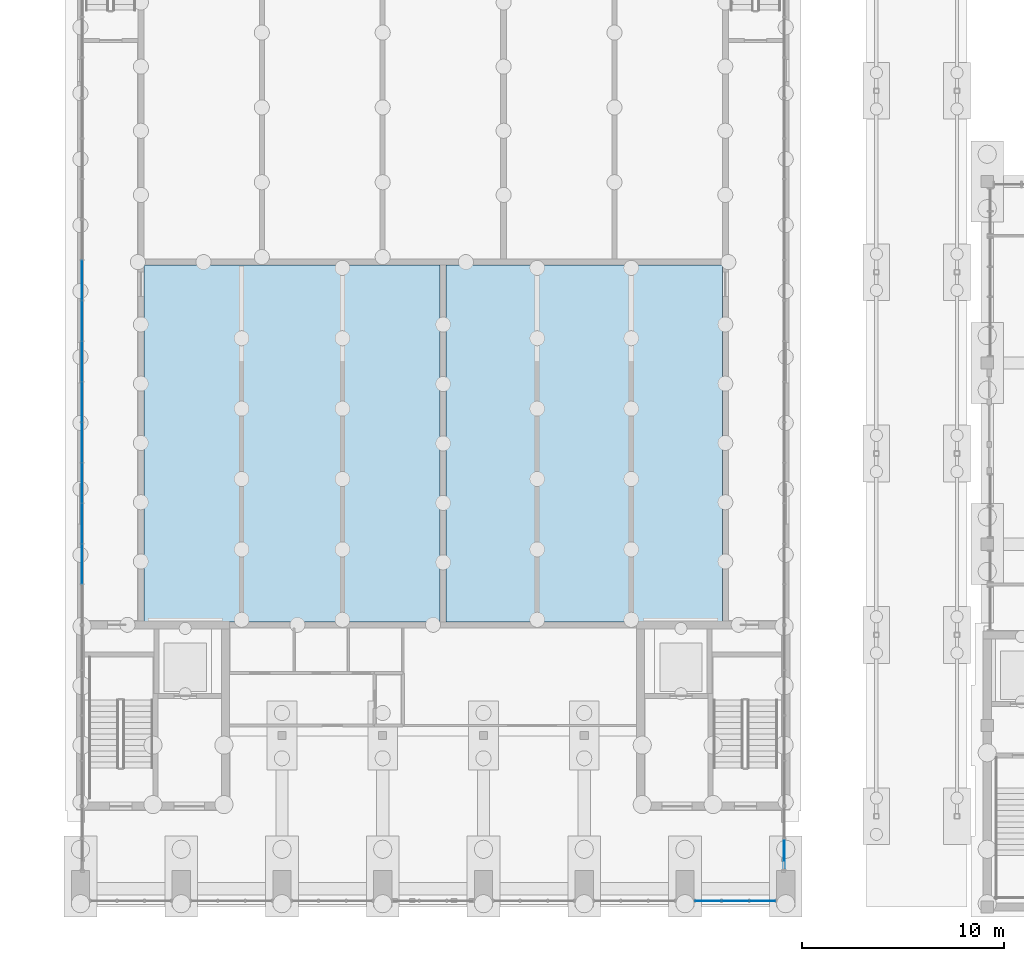
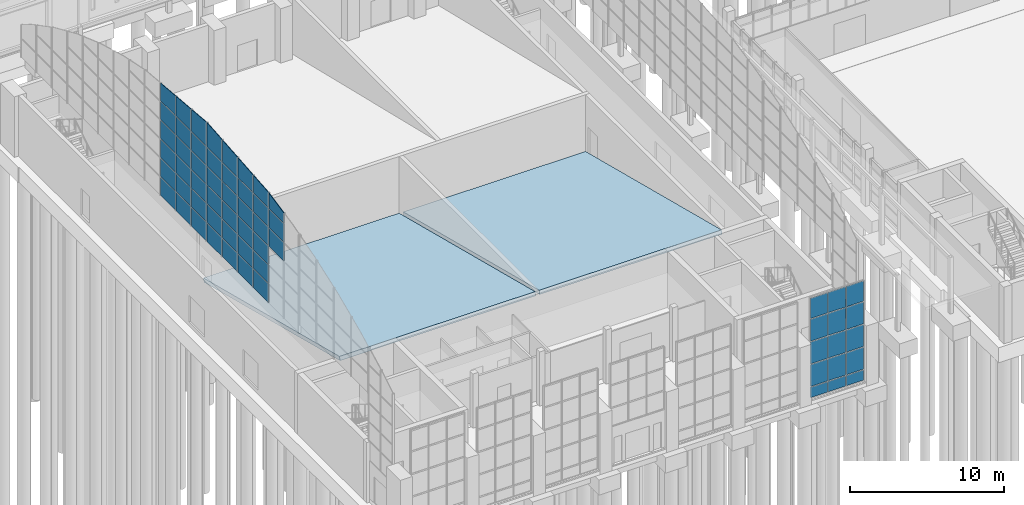
# One storey, part 52 of 106: 61 plates, 2 slabs, 3 elements without a shape of their own.
"""IFC4 building model written with IfcOpenShell, lengths in metres."""

from ifc_helpers import new_model, si_unit, direction, frame, origin, origin_2d, place, context, subcontext, project, spatial, polyline, rectangle, outline, extrude, material, layer, layer_set, type_object, element, aggregate, save


model = new_model("IFC4")

# Units and contexts
model_context = context("Model", 3, precision=1e-05, world=origin(), true_north=direction((0.0, 1.0)))
body_context = subcontext(model_context, "Body", "Model", "MODEL_VIEW")
ifc_project = project(units=[si_unit("LENGTHUNIT", "METRE"), si_unit("AREAUNIT", "SQUARE_METRE"), si_unit("VOLUMEUNIT", "CUBIC_METRE"), si_unit("PLANEANGLEUNIT", "RADIAN"), si_unit("MASSUNIT", "GRAM", prefix="KILO")], contexts=[model_context])

# Site, building, storey
site_placement = place(None, origin())
site = spatial("IfcSite", under=ifc_project, at=site_placement, CompositionType="ELEMENT")
building_placement = place(site_placement, origin())
building = spatial("IfcBuilding", under=site, at=building_placement, Name="Merrow Basin Faculty of Sciences", CompositionType="ELEMENT")
storey_placement = place(building_placement, origin())
storey = spatial("IfcBuildingStorey", under=building, at=storey_placement, Name="L00", CompositionType="ELEMENT", Elevation=0.0)

# Curtain wall, plates
ifc_material_1 = material(Name="Aluminium alloy 6063", Category="aluminium")
curtain_wall_type_1 = type_object("IfcCurtainWallType", Name="Unitised curtain wall 160", PredefinedType="NOTDEFINED", material=ifc_material_1)
curtain_wall_1_placement = place(storey_placement, origin())
curtain_wall_1 = element("IfcCurtainWall", 1, at=curtain_wall_1_placement, inside=storey, type_object=curtain_wall_type_1, Name="South foyer curtain wall", PredefinedType="NOTDEFINED")
ifc_material_2 = material(Name="Insulated aluminium spandrel panel", Category="aluminium")
ifc_layer_1 = layer(ifc_material_2, 0.052001953125)
ifc_layer_set_1 = layer_set([ifc_layer_1], Name="Insulated spandrel panel 52")
plate_type_1 = type_object("IfcPlateType", Name="Insulated spandrel panel 52", PredefinedType="CURTAIN_PANEL", material=ifc_layer_set_1)
plate_1_placement = place(storey_placement, frame((31.1484375, 0.300048828125, 0.06005859375), z_axis=(0.0, 0.0, 1.0), x_axis=(1.0, 0.0, 0.0)))
plate_1 = element("IfcPlate", 2, at=plate_1_placement, type_object=plate_type_1, Name="CW3 panel 1.1", PredefinedType="CURTAIN_PANEL", context=body_context, shape_type="SweptSolid", body=[
    extrude(rectangle(XDim=1.276611328125, YDim=0.052001953125, at=origin_2d()), origin(), (0.0, 0.0, 1.0), 0.81005859375),
])
plate_2_placement = place(storey_placement, frame((32.5, 0.300048828125, 0.06005859375), z_axis=(0.0, 0.0, 1.0), x_axis=(1.0, 0.0, 0.0)))
plate_2 = element("IfcPlate", 3, at=plate_2_placement, type_object=plate_type_1, Name="CW3 panel 2.1", PredefinedType="CURTAIN_PANEL", context=body_context, shape_type="SweptSolid", body=[
    extrude(rectangle(XDim=1.306640625, YDim=0.052001953125, at=origin_2d()), origin(), (0.0, 0.0, 1.0), 0.81005859375),
])
plate_3_placement = place(storey_placement, frame((33.8515625, 0.300048828125, 0.06005859375), z_axis=(0.0, 0.0, 1.0), x_axis=(1.0, 0.0, 0.0)))
plate_3 = element("IfcPlate", 4, at=plate_3_placement, type_object=plate_type_1, Name="CW3 panel 3.1", PredefinedType="CURTAIN_PANEL", context=body_context, shape_type="SweptSolid", body=[
    extrude(rectangle(XDim=1.276611328125, YDim=0.052001953125, at=origin_2d()), origin(), (0.0, 0.0, 1.0), 0.81005859375),
])

ifc_material_3 = material(Name="Aluminium alloy 6063", Category="aluminium")
curtain_wall_type_2 = type_object("IfcCurtainWallType", Name="Arched curtain wall 160", PredefinedType="NOTDEFINED", material=ifc_material_3)
curtain_wall_2_placement = place(storey_placement, origin())
curtain_wall_2 = element("IfcCurtainWall", 5, at=curtain_wall_2_placement, inside=storey, type_object=curtain_wall_type_2, Name="West gable glazing C", PredefinedType="NOTDEFINED")
ifc_material_4 = material(Name="Laminated safety glass", Category="glass")
ifc_layer_2 = layer(ifc_material_4, 0.0400390625)
ifc_layer_set_2 = layer_set([ifc_layer_2], Name="Laminated overhead glazing panel 40")
plate_type_2 = type_object("IfcPlateType", Name="Laminated overhead glazing panel 40", PredefinedType="CURTAIN_PANEL", material=ifc_layer_set_2)
plate_4_placement = place(storey_placement, frame((0.06005859375, 16.041015625, 12.030029296875), z_axis=(1.0, 0.0, 0.0), x_axis=(0.0, 1.0, 0.0)))
plate_4 = element("IfcPlate", 6, at=plate_4_placement, type_object=plate_type_2, Name="CW4 panel 2.4", PredefinedType="CURTAIN_PANEL", context=body_context, shape_type="SweptSolid", body=[
    extrude(outline(polyline([(0.0, 0.0), (1.949951171875, 0.0), (1.949951171875, 1.43994140625), (0.0, 1.43994140625), (0.0, 0.0)])), origin(), (0.0, 0.0, 1.0), 0.0400390625),
])
plate_5_placement = place(storey_placement, frame((0.06005859375, 16.041015625, 13.530029296875), z_axis=(1.0, 0.0, 0.0), x_axis=(0.0, 1.0, 0.0)))
plate_5 = element("IfcPlate", 7, at=plate_5_placement, type_object=plate_type_2, Name="CW4 panel 2.5", PredefinedType="CURTAIN_PANEL", context=body_context, shape_type="SweptSolid", body=[
    extrude(outline(polyline([(0.0, 0.0), (1.949951171875, 0.0), (1.949951171875, 1.43994140625), (0.0, 1.43994140625), (0.0, 0.0)])), origin(), (0.0, 0.0, 1.0), 0.0400390625),
])
plate_6_placement = place(storey_placement, frame((0.06005859375, 16.041015625, 15.030029296875), z_axis=(1.0, 0.0, 0.0), x_axis=(0.0, 1.0, 0.0)))
plate_6 = element("IfcPlate", 8, at=plate_6_placement, type_object=plate_type_2, Name="CW4 panel 2.top", PredefinedType="CURTAIN_PANEL", context=body_context, shape_type="SweptSolid", body=[
    extrude(outline(polyline([(0.0, 0.0), (1.950927734375, 0.0), (1.950927734375, 1.216064453125), (0.0, 0.80810546875), (0.0, 0.0)])), origin(), (0.0, 0.0, 1.0), 0.0400390625),
])
plate_7_placement = place(storey_placement, frame((0.06005859375, 18.052001953125, 7.5), z_axis=(1.0, 0.0, 0.0), x_axis=(0.0, 1.0, 0.0)))
plate_7 = element("IfcPlate", 9, at=plate_7_placement, type_object=plate_type_2, Name="CW4 panel 3.1", PredefinedType="CURTAIN_PANEL", context=body_context, shape_type="SweptSolid", body=[
    extrude(outline(polyline([(0.0, 0.0), (1.949951171875, 0.0), (1.949951171875, 1.469970703125), (0.0, 1.469970703125), (0.0, 0.0)])), origin(), (0.0, 0.0, 1.0), 0.0400390625),
])
plate_8_placement = place(storey_placement, frame((0.06005859375, 18.052001953125, 9.030029296875), z_axis=(1.0, 0.0, 0.0), x_axis=(0.0, 1.0, 0.0)))
plate_8 = element("IfcPlate", 10, at=plate_8_placement, type_object=plate_type_2, Name="CW4 panel 3.2", PredefinedType="CURTAIN_PANEL", context=body_context, shape_type="SweptSolid", body=[
    extrude(outline(polyline([(0.0, 0.0), (1.949951171875, 0.0), (1.949951171875, 1.43994140625), (0.0, 1.43994140625), (0.0, 0.0)])), origin(), (0.0, 0.0, 1.0), 0.0400390625),
])
plate_9_placement = place(storey_placement, frame((0.06005859375, 18.052001953125, 10.530029296875), z_axis=(1.0, 0.0, 0.0), x_axis=(0.0, 1.0, 0.0)))
plate_9 = element("IfcPlate", 11, at=plate_9_placement, type_object=plate_type_2, Name="CW4 panel 3.3", PredefinedType="CURTAIN_PANEL", context=body_context, shape_type="SweptSolid", body=[
    extrude(outline(polyline([(0.0, 0.0), (1.949951171875, 0.0), (1.949951171875, 1.43994140625), (0.0, 1.43994140625), (0.0, 0.0)])), origin(), (0.0, 0.0, 1.0), 0.0400390625),
])
plate_10_placement = place(storey_placement, frame((0.06005859375, 18.052001953125, 12.030029296875), z_axis=(1.0, 0.0, 0.0), x_axis=(0.0, 1.0, 0.0)))
plate_10 = element("IfcPlate", 12, at=plate_10_placement, type_object=plate_type_2, Name="CW4 panel 3.4", PredefinedType="CURTAIN_PANEL", context=body_context, shape_type="SweptSolid", body=[
    extrude(outline(polyline([(0.0, 0.0), (1.949951171875, 0.0), (1.949951171875, 1.43994140625), (0.0, 1.43994140625), (0.0, 0.0)])), origin(), (0.0, 0.0, 1.0), 0.0400390625),
])
plate_11_placement = place(storey_placement, frame((0.06005859375, 18.052001953125, 13.530029296875), z_axis=(1.0, 0.0, 0.0), x_axis=(0.0, 1.0, 0.0)))
plate_11 = element("IfcPlate", 13, at=plate_11_placement, type_object=plate_type_2, Name="CW4 panel 3.5", PredefinedType="CURTAIN_PANEL", context=body_context, shape_type="SweptSolid", body=[
    extrude(outline(polyline([(0.0, 0.0), (1.949951171875, 0.0), (1.949951171875, 1.43994140625), (0.0, 1.43994140625), (0.0, 0.0)])), origin(), (0.0, 0.0, 1.0), 0.0400390625),
])
plate_12_placement = place(storey_placement, frame((0.06005859375, 18.052001953125, 15.030029296875), z_axis=(1.0, 0.0, 0.0), x_axis=(0.0, 1.0, 0.0)))
plate_12 = element("IfcPlate", 14, at=plate_12_placement, type_object=plate_type_2, Name="CW4 panel 3.top", PredefinedType="CURTAIN_PANEL", context=body_context, shape_type="SweptSolid", body=[
    extrude(outline(polyline([(0.0, 0.0), (1.950927734375, 0.0), (1.950927734375, 1.39501953125), (0.0, 1.22509765625), (0.0, 0.0)])), origin(), (0.0, 0.0, 1.0), 0.0400390625),
])
plate_13_placement = place(storey_placement, frame((0.06005859375, 20.06298828125, 7.5), z_axis=(1.0, 0.0, 0.0), x_axis=(0.0, 1.0, 0.0)))
plate_13 = element("IfcPlate", 15, at=plate_13_placement, type_object=plate_type_2, Name="CW4 panel 4.1", PredefinedType="CURTAIN_PANEL", context=body_context, shape_type="SweptSolid", body=[
    extrude(outline(polyline([(0.0, 0.0), (1.949951171875, 0.0), (1.949951171875, 1.469970703125), (0.0, 1.469970703125), (0.0, 0.0)])), origin(), (0.0, 0.0, 1.0), 0.0400390625),
])
plate_14_placement = place(storey_placement, frame((0.06005859375, 20.06298828125, 9.030029296875), z_axis=(1.0, 0.0, 0.0), x_axis=(0.0, 1.0, 0.0)))
plate_14 = element("IfcPlate", 16, at=plate_14_placement, type_object=plate_type_2, Name="CW4 panel 4.2", PredefinedType="CURTAIN_PANEL", context=body_context, shape_type="SweptSolid", body=[
    extrude(outline(polyline([(0.0, 0.0), (1.949951171875, 0.0), (1.949951171875, 1.43994140625), (0.0, 1.43994140625), (0.0, 0.0)])), origin(), (0.0, 0.0, 1.0), 0.0400390625),
])
plate_15_placement = place(storey_placement, frame((0.06005859375, 20.06298828125, 10.530029296875), z_axis=(1.0, 0.0, 0.0), x_axis=(0.0, 1.0, 0.0)))
plate_15 = element("IfcPlate", 17, at=plate_15_placement, type_object=plate_type_2, Name="CW4 panel 4.3", PredefinedType="CURTAIN_PANEL", context=body_context, shape_type="SweptSolid", body=[
    extrude(outline(polyline([(0.0, 0.0), (1.949951171875, 0.0), (1.949951171875, 1.43994140625), (0.0, 1.43994140625), (0.0, 0.0)])), origin(), (0.0, 0.0, 1.0), 0.0400390625),
])
plate_16_placement = place(storey_placement, frame((0.06005859375, 20.06298828125, 12.030029296875), z_axis=(1.0, 0.0, 0.0), x_axis=(0.0, 1.0, 0.0)))
plate_16 = element("IfcPlate", 18, at=plate_16_placement, type_object=plate_type_2, Name="CW4 panel 4.4", PredefinedType="CURTAIN_PANEL", context=body_context, shape_type="SweptSolid", body=[
    extrude(outline(polyline([(0.0, 0.0), (1.949951171875, 0.0), (1.949951171875, 1.43994140625), (0.0, 1.43994140625), (0.0, 0.0)])), origin(), (0.0, 0.0, 1.0), 0.0400390625),
])
plate_17_placement = place(storey_placement, frame((0.06005859375, 20.06298828125, 13.530029296875), z_axis=(1.0, 0.0, 0.0), x_axis=(0.0, 1.0, 0.0)))
plate_17 = element("IfcPlate", 19, at=plate_17_placement, type_object=plate_type_2, Name="CW4 panel 4.5", PredefinedType="CURTAIN_PANEL", context=body_context, shape_type="SweptSolid", body=[
    extrude(outline(polyline([(0.0, 0.0), (1.949951171875, 0.0), (1.949951171875, 1.43994140625), (0.0, 1.43994140625), (0.0, 0.0)])), origin(), (0.0, 0.0, 1.0), 0.0400390625),
])
plate_18_placement = place(storey_placement, frame((0.06005859375, 20.06298828125, 15.030029296875), z_axis=(1.0, 0.0, 0.0), x_axis=(0.0, 1.0, 0.0)))
plate_18 = element("IfcPlate", 20, at=plate_18_placement, type_object=plate_type_2, Name="CW4 panel 4.top", PredefinedType="CURTAIN_PANEL", context=body_context, shape_type="SweptSolid", body=[
    extrude(outline(polyline([(0.0, 0.0), (1.950927734375, 0.0), (1.950927734375, 1.569091796875), (0.0, 1.39990234375), (0.0, 0.0)])), origin(), (0.0, 0.0, 1.0), 0.0400390625),
])
plate_19_placement = place(storey_placement, frame((0.06005859375, 22.073974609375, 7.5), z_axis=(1.0, 0.0, 0.0), x_axis=(0.0, 1.0, 0.0)))
plate_19 = element("IfcPlate", 21, at=plate_19_placement, type_object=plate_type_2, Name="CW4 panel 5.1", PredefinedType="CURTAIN_PANEL", context=body_context, shape_type="SweptSolid", body=[
    extrude(outline(polyline([(0.0, 0.0), (1.949951171875, 0.0), (1.949951171875, 1.469970703125), (0.0, 1.469970703125), (0.0, 0.0)])), origin(), (0.0, 0.0, 1.0), 0.0400390625),
])
plate_20_placement = place(storey_placement, frame((0.06005859375, 22.073974609375, 9.030029296875), z_axis=(1.0, 0.0, 0.0), x_axis=(0.0, 1.0, 0.0)))
plate_20 = element("IfcPlate", 22, at=plate_20_placement, type_object=plate_type_2, Name="CW4 panel 5.2", PredefinedType="CURTAIN_PANEL", context=body_context, shape_type="SweptSolid", body=[
    extrude(outline(polyline([(0.0, 0.0), (1.949951171875, 0.0), (1.949951171875, 1.43994140625), (0.0, 1.43994140625), (0.0, 0.0)])), origin(), (0.0, 0.0, 1.0), 0.0400390625),
])
plate_21_placement = place(storey_placement, frame((0.06005859375, 22.073974609375, 10.530029296875), z_axis=(1.0, 0.0, 0.0), x_axis=(0.0, 1.0, 0.0)))
plate_21 = element("IfcPlate", 23, at=plate_21_placement, type_object=plate_type_2, Name="CW4 panel 5.3", PredefinedType="CURTAIN_PANEL", context=body_context, shape_type="SweptSolid", body=[
    extrude(outline(polyline([(0.0, 0.0), (1.949951171875, 0.0), (1.949951171875, 1.43994140625), (0.0, 1.43994140625), (0.0, 0.0)])), origin(), (0.0, 0.0, 1.0), 0.0400390625),
])
plate_22_placement = place(storey_placement, frame((0.06005859375, 22.073974609375, 12.030029296875), z_axis=(1.0, 0.0, 0.0), x_axis=(0.0, 1.0, 0.0)))
plate_22 = element("IfcPlate", 24, at=plate_22_placement, type_object=plate_type_2, Name="CW4 panel 5.4", PredefinedType="CURTAIN_PANEL", context=body_context, shape_type="SweptSolid", body=[
    extrude(outline(polyline([(0.0, 0.0), (1.949951171875, 0.0), (1.949951171875, 1.43994140625), (0.0, 1.43994140625), (0.0, 0.0)])), origin(), (0.0, 0.0, 1.0), 0.0400390625),
])
plate_23_placement = place(storey_placement, frame((0.06005859375, 22.073974609375, 13.530029296875), z_axis=(1.0, 0.0, 0.0), x_axis=(0.0, 1.0, 0.0)))
plate_23 = element("IfcPlate", 25, at=plate_23_placement, type_object=plate_type_2, Name="CW4 panel 5.5", PredefinedType="CURTAIN_PANEL", context=body_context, shape_type="SweptSolid", body=[
    extrude(outline(polyline([(0.0, 0.0), (1.949951171875, 0.0), (1.949951171875, 1.43994140625), (0.0, 1.43994140625), (0.0, 0.0)])), origin(), (0.0, 0.0, 1.0), 0.0400390625),
])
plate_24_placement = place(storey_placement, frame((0.06005859375, 22.073974609375, 15.030029296875), z_axis=(1.0, 0.0, 0.0), x_axis=(0.0, 1.0, 0.0)))
plate_24 = element("IfcPlate", 26, at=plate_24_placement, type_object=plate_type_2, Name="CW4 panel 5.top", PredefinedType="CURTAIN_PANEL", context=body_context, shape_type="SweptSolid", body=[
    extrude(outline(polyline([(0.0, 0.0), (1.950927734375, 0.0), (1.950927734375, 1.743896484375), (0.0, 1.574951171875), (0.0, 0.0)])), origin(), (0.0, 0.0, 1.0), 0.0400390625),
])
plate_25_placement = place(storey_placement, frame((0.06005859375, 24.0859375, 7.5), z_axis=(1.0, 0.0, 0.0), x_axis=(0.0, 1.0, 0.0)))
plate_25 = element("IfcPlate", 27, at=plate_25_placement, type_object=plate_type_2, Name="CW4 panel 6.1", PredefinedType="CURTAIN_PANEL", context=body_context, shape_type="SweptSolid", body=[
    extrude(outline(polyline([(0.0, 0.0), (1.949951171875, 0.0), (1.949951171875, 1.469970703125), (0.0, 1.469970703125), (0.0, 0.0)])), origin(), (0.0, 0.0, 1.0), 0.0400390625),
])
plate_26_placement = place(storey_placement, frame((0.06005859375, 24.0859375, 9.030029296875), z_axis=(1.0, 0.0, 0.0), x_axis=(0.0, 1.0, 0.0)))
plate_26 = element("IfcPlate", 28, at=plate_26_placement, type_object=plate_type_2, Name="CW4 panel 6.2", PredefinedType="CURTAIN_PANEL", context=body_context, shape_type="SweptSolid", body=[
    extrude(outline(polyline([(0.0, 0.0), (1.949951171875, 0.0), (1.949951171875, 1.43994140625), (0.0, 1.43994140625), (0.0, 0.0)])), origin(), (0.0, 0.0, 1.0), 0.0400390625),
])
plate_27_placement = place(storey_placement, frame((0.06005859375, 24.0859375, 10.530029296875), z_axis=(1.0, 0.0, 0.0), x_axis=(0.0, 1.0, 0.0)))
plate_27 = element("IfcPlate", 29, at=plate_27_placement, type_object=plate_type_2, Name="CW4 panel 6.3", PredefinedType="CURTAIN_PANEL", context=body_context, shape_type="SweptSolid", body=[
    extrude(outline(polyline([(0.0, 0.0), (1.949951171875, 0.0), (1.949951171875, 1.43994140625), (0.0, 1.43994140625), (0.0, 0.0)])), origin(), (0.0, 0.0, 1.0), 0.0400390625),
])
plate_28_placement = place(storey_placement, frame((0.06005859375, 24.0859375, 12.030029296875), z_axis=(1.0, 0.0, 0.0), x_axis=(0.0, 1.0, 0.0)))
plate_28 = element("IfcPlate", 30, at=plate_28_placement, type_object=plate_type_2, Name="CW4 panel 6.4", PredefinedType="CURTAIN_PANEL", context=body_context, shape_type="SweptSolid", body=[
    extrude(outline(polyline([(0.0, 0.0), (1.949951171875, 0.0), (1.949951171875, 1.43994140625), (0.0, 1.43994140625), (0.0, 0.0)])), origin(), (0.0, 0.0, 1.0), 0.0400390625),
])
plate_29_placement = place(storey_placement, frame((0.06005859375, 24.0859375, 13.530029296875), z_axis=(1.0, 0.0, 0.0), x_axis=(0.0, 1.0, 0.0)))
plate_29 = element("IfcPlate", 31, at=plate_29_placement, type_object=plate_type_2, Name="CW4 panel 6.5", PredefinedType="CURTAIN_PANEL", context=body_context, shape_type="SweptSolid", body=[
    extrude(outline(polyline([(0.0, 0.0), (1.949951171875, 0.0), (1.949951171875, 1.43994140625), (0.0, 1.43994140625), (0.0, 0.0)])), origin(), (0.0, 0.0, 1.0), 0.0400390625),
])
plate_30_placement = place(storey_placement, frame((0.06005859375, 24.0859375, 15.030029296875), z_axis=(1.0, 0.0, 0.0), x_axis=(0.0, 1.0, 0.0)))
plate_30 = element("IfcPlate", 32, at=plate_30_placement, type_object=plate_type_2, Name="CW4 panel 6.top", PredefinedType="CURTAIN_PANEL", context=body_context, shape_type="SweptSolid", body=[
    extrude(outline(polyline([(0.0, 0.0), (1.950927734375, 0.0), (1.950927734375, 1.912109375), (1.9140625, 1.916015625), (0.0, 1.7490234375), (0.0, 0.0)])), origin(), (0.0, 0.0, 1.0), 0.0400390625),
])
plate_31_placement = place(storey_placement, frame((0.06005859375, 26.096923828125, 7.5), z_axis=(1.0, 0.0, 0.0), x_axis=(0.0, 1.0, 0.0)))
plate_31 = element("IfcPlate", 33, at=plate_31_placement, type_object=plate_type_2, Name="CW4 panel 7.1", PredefinedType="CURTAIN_PANEL", context=body_context, shape_type="SweptSolid", body=[
    extrude(outline(polyline([(0.0, 0.0), (1.949951171875, 0.0), (1.949951171875, 1.469970703125), (0.0, 1.469970703125), (0.0, 0.0)])), origin(), (0.0, 0.0, 1.0), 0.0400390625),
])
plate_32_placement = place(storey_placement, frame((0.06005859375, 26.096923828125, 9.030029296875), z_axis=(1.0, 0.0, 0.0), x_axis=(0.0, 1.0, 0.0)))
plate_32 = element("IfcPlate", 34, at=plate_32_placement, type_object=plate_type_2, Name="CW4 panel 7.2", PredefinedType="CURTAIN_PANEL", context=body_context, shape_type="SweptSolid", body=[
    extrude(outline(polyline([(0.0, 0.0), (1.949951171875, 0.0), (1.949951171875, 1.43994140625), (0.0, 1.43994140625), (0.0, 0.0)])), origin(), (0.0, 0.0, 1.0), 0.0400390625),
])
plate_33_placement = place(storey_placement, frame((0.06005859375, 26.096923828125, 10.530029296875), z_axis=(1.0, 0.0, 0.0), x_axis=(0.0, 1.0, 0.0)))
plate_33 = element("IfcPlate", 35, at=plate_33_placement, type_object=plate_type_2, Name="CW4 panel 7.3", PredefinedType="CURTAIN_PANEL", context=body_context, shape_type="SweptSolid", body=[
    extrude(outline(polyline([(0.0, 0.0), (1.949951171875, 0.0), (1.949951171875, 1.43994140625), (0.0, 1.43994140625), (0.0, 0.0)])), origin(), (0.0, 0.0, 1.0), 0.0400390625),
])
plate_34_placement = place(storey_placement, frame((0.06005859375, 26.096923828125, 12.030029296875), z_axis=(1.0, 0.0, 0.0), x_axis=(0.0, 1.0, 0.0)))
plate_34 = element("IfcPlate", 36, at=plate_34_placement, type_object=plate_type_2, Name="CW4 panel 7.4", PredefinedType="CURTAIN_PANEL", context=body_context, shape_type="SweptSolid", body=[
    extrude(outline(polyline([(0.0, 0.0), (1.949951171875, 0.0), (1.949951171875, 1.43994140625), (0.0, 1.43994140625), (0.0, 0.0)])), origin(), (0.0, 0.0, 1.0), 0.0400390625),
])
plate_35_placement = place(storey_placement, frame((0.06005859375, 26.096923828125, 13.530029296875), z_axis=(1.0, 0.0, 0.0), x_axis=(0.0, 1.0, 0.0)))
plate_35 = element("IfcPlate", 37, at=plate_35_placement, type_object=plate_type_2, Name="CW4 panel 7.5", PredefinedType="CURTAIN_PANEL", context=body_context, shape_type="SweptSolid", body=[
    extrude(outline(polyline([(0.0, 0.0), (1.949951171875, 0.0), (1.949951171875, 1.43994140625), (0.0, 1.43994140625), (0.0, 0.0)])), origin(), (0.0, 0.0, 1.0), 0.0400390625),
])
plate_36_placement = place(storey_placement, frame((0.06005859375, 26.096923828125, 15.030029296875), z_axis=(1.0, 0.0, 0.0), x_axis=(0.0, 1.0, 0.0)))
plate_36 = element("IfcPlate", 38, at=plate_36_placement, type_object=plate_type_2, Name="CW4 panel 7.top", PredefinedType="CURTAIN_PANEL", context=body_context, shape_type="SweptSolid", body=[
    extrude(outline(polyline([(0.0, 0.0), (1.950927734375, 0.0), (1.950927734375, 1.738037109375), (0.0, 1.906982421875), (0.0, 0.0)])), origin(), (0.0, 0.0, 1.0), 0.0400390625),
])
plate_37_placement = place(storey_placement, frame((0.06005859375, 28.10791015625, 7.5), z_axis=(1.0, 0.0, 0.0), x_axis=(0.0, 1.0, 0.0)))
plate_37 = element("IfcPlate", 39, at=plate_37_placement, type_object=plate_type_2, Name="CW4 panel 8.1", PredefinedType="CURTAIN_PANEL", context=body_context, shape_type="SweptSolid", body=[
    extrude(outline(polyline([(0.0, 0.0), (1.949951171875, 0.0), (1.949951171875, 1.469970703125), (0.0, 1.469970703125), (0.0, 0.0)])), origin(), (0.0, 0.0, 1.0), 0.0400390625),
])
plate_38_placement = place(storey_placement, frame((0.06005859375, 28.10791015625, 9.030029296875), z_axis=(1.0, 0.0, 0.0), x_axis=(0.0, 1.0, 0.0)))
plate_38 = element("IfcPlate", 40, at=plate_38_placement, type_object=plate_type_2, Name="CW4 panel 8.2", PredefinedType="CURTAIN_PANEL", context=body_context, shape_type="SweptSolid", body=[
    extrude(outline(polyline([(0.0, 0.0), (1.949951171875, 0.0), (1.949951171875, 1.43994140625), (0.0, 1.43994140625), (0.0, 0.0)])), origin(), (0.0, 0.0, 1.0), 0.0400390625),
])
plate_39_placement = place(storey_placement, frame((0.06005859375, 28.10791015625, 10.530029296875), z_axis=(1.0, 0.0, 0.0), x_axis=(0.0, 1.0, 0.0)))
plate_39 = element("IfcPlate", 41, at=plate_39_placement, type_object=plate_type_2, Name="CW4 panel 8.3", PredefinedType="CURTAIN_PANEL", context=body_context, shape_type="SweptSolid", body=[
    extrude(outline(polyline([(0.0, 0.0), (1.949951171875, 0.0), (1.949951171875, 1.43994140625), (0.0, 1.43994140625), (0.0, 0.0)])), origin(), (0.0, 0.0, 1.0), 0.0400390625),
])
plate_40_placement = place(storey_placement, frame((0.06005859375, 28.10791015625, 12.030029296875), z_axis=(1.0, 0.0, 0.0), x_axis=(0.0, 1.0, 0.0)))
plate_40 = element("IfcPlate", 42, at=plate_40_placement, type_object=plate_type_2, Name="CW4 panel 8.4", PredefinedType="CURTAIN_PANEL", context=body_context, shape_type="SweptSolid", body=[
    extrude(outline(polyline([(0.0, 0.0), (1.949951171875, 0.0), (1.949951171875, 1.43994140625), (0.0, 1.43994140625), (0.0, 0.0)])), origin(), (0.0, 0.0, 1.0), 0.0400390625),
])
plate_41_placement = place(storey_placement, frame((0.06005859375, 28.10791015625, 13.530029296875), z_axis=(1.0, 0.0, 0.0), x_axis=(0.0, 1.0, 0.0)))
plate_41 = element("IfcPlate", 43, at=plate_41_placement, type_object=plate_type_2, Name="CW4 panel 8.5", PredefinedType="CURTAIN_PANEL", context=body_context, shape_type="SweptSolid", body=[
    extrude(outline(polyline([(0.0, 0.0), (1.949951171875, 0.0), (1.949951171875, 1.43994140625), (0.0, 1.43994140625), (0.0, 0.0)])), origin(), (0.0, 0.0, 1.0), 0.0400390625),
])
plate_42_placement = place(storey_placement, frame((0.06005859375, 28.10791015625, 15.030029296875), z_axis=(1.0, 0.0, 0.0), x_axis=(0.0, 1.0, 0.0)))
plate_42 = element("IfcPlate", 44, at=plate_42_placement, type_object=plate_type_2, Name="CW4 panel 8.top", PredefinedType="CURTAIN_PANEL", context=body_context, shape_type="SweptSolid", body=[
    extrude(outline(polyline([(0.0, 0.0), (1.950927734375, 0.0), (1.950927734375, 1.56298828125), (0.0, 1.73193359375), (0.0, 0.0)])), origin(), (0.0, 0.0, 1.0), 0.0400390625),
])
plate_43_placement = place(storey_placement, frame((0.06005859375, 30.118896484375, 7.5), z_axis=(1.0, 0.0, 0.0), x_axis=(0.0, 1.0, 0.0)))
plate_43 = element("IfcPlate", 45, at=plate_43_placement, type_object=plate_type_2, Name="CW4 panel 9.1", PredefinedType="CURTAIN_PANEL", context=body_context, shape_type="SweptSolid", body=[
    extrude(outline(polyline([(0.0, 0.0), (1.949951171875, 0.0), (1.949951171875, 1.469970703125), (0.0, 1.469970703125), (0.0, 0.0)])), origin(), (0.0, 0.0, 1.0), 0.0400390625),
])
plate_44_placement = place(storey_placement, frame((0.06005859375, 30.118896484375, 9.030029296875), z_axis=(1.0, 0.0, 0.0), x_axis=(0.0, 1.0, 0.0)))
plate_44 = element("IfcPlate", 46, at=plate_44_placement, type_object=plate_type_2, Name="CW4 panel 9.2", PredefinedType="CURTAIN_PANEL", context=body_context, shape_type="SweptSolid", body=[
    extrude(outline(polyline([(0.0, 0.0), (1.949951171875, 0.0), (1.949951171875, 1.43994140625), (0.0, 1.43994140625), (0.0, 0.0)])), origin(), (0.0, 0.0, 1.0), 0.0400390625),
])
plate_45_placement = place(storey_placement, frame((0.06005859375, 30.118896484375, 10.530029296875), z_axis=(1.0, 0.0, 0.0), x_axis=(0.0, 1.0, 0.0)))
plate_45 = element("IfcPlate", 47, at=plate_45_placement, type_object=plate_type_2, Name="CW4 panel 9.3", PredefinedType="CURTAIN_PANEL", context=body_context, shape_type="SweptSolid", body=[
    extrude(outline(polyline([(0.0, 0.0), (1.949951171875, 0.0), (1.949951171875, 1.43994140625), (0.0, 1.43994140625), (0.0, 0.0)])), origin(), (0.0, 0.0, 1.0), 0.0400390625),
])
plate_46_placement = place(storey_placement, frame((0.06005859375, 30.118896484375, 12.030029296875), z_axis=(1.0, 0.0, 0.0), x_axis=(0.0, 1.0, 0.0)))
plate_46 = element("IfcPlate", 48, at=plate_46_placement, type_object=plate_type_2, Name="CW4 panel 9.4", PredefinedType="CURTAIN_PANEL", context=body_context, shape_type="SweptSolid", body=[
    extrude(outline(polyline([(0.0, 0.0), (1.949951171875, 0.0), (1.949951171875, 1.43994140625), (0.0, 1.43994140625), (0.0, 0.0)])), origin(), (0.0, 0.0, 1.0), 0.0400390625),
])
plate_47_placement = place(storey_placement, frame((0.06005859375, 30.118896484375, 13.530029296875), z_axis=(1.0, 0.0, 0.0), x_axis=(0.0, 1.0, 0.0)))
plate_47 = element("IfcPlate", 49, at=plate_47_placement, type_object=plate_type_2, Name="CW4 panel 9.5", PredefinedType="CURTAIN_PANEL", context=body_context, shape_type="SweptSolid", body=[
    extrude(outline(polyline([(0.0, 0.0), (1.949951171875, 0.0), (1.949951171875, 1.43994140625), (0.0, 1.43994140625), (0.0, 0.0)])), origin(), (0.0, 0.0, 1.0), 0.0400390625),
])
plate_48_placement = place(storey_placement, frame((0.06005859375, 30.118896484375, 15.030029296875), z_axis=(1.0, 0.0, 0.0), x_axis=(0.0, 1.0, 0.0)))
plate_48 = element("IfcPlate", 50, at=plate_48_placement, type_object=plate_type_2, Name="CW4 panel 9.top", PredefinedType="CURTAIN_PANEL", context=body_context, shape_type="SweptSolid", body=[
    extrude(outline(polyline([(0.0, 0.0), (1.950927734375, 0.0), (1.950927734375, 1.387939453125), (0.0, 1.55810546875), (0.0, 0.0)])), origin(), (0.0, 0.0, 1.0), 0.0400390625),
])
aggregate(curtain_wall_2, [plate_4, plate_5, plate_6, plate_7, plate_8, plate_9, plate_10, plate_11, plate_12, plate_13, plate_14, plate_15, plate_16, plate_17, plate_18, plate_19, plate_20, plate_21, plate_22, plate_23, plate_24, plate_25, plate_26, plate_27, plate_28, plate_29, plate_30, plate_31, plate_32, plate_33, plate_34, plate_35, plate_36, plate_37, plate_38, plate_39, plate_40, plate_41, plate_42, plate_43, plate_44, plate_45, plate_46, plate_47, plate_48])

# Curtain wall, plate
curtain_wall_3_placement = place(storey_placement, origin())
curtain_wall_3 = element("IfcCurtainWall", 51, at=curtain_wall_3_placement, inside=storey, type_object=curtain_wall_type_2, Name="East gable glazing A", PredefinedType="NOTDEFINED")
plate_49_placement = place(storey_placement, frame((34.89990234375, 1.860107421875, 3.0), z_axis=(1.0, 0.0, 0.0), x_axis=(0.0, 1.0, 0.0)))
plate_49 = element("IfcPlate", 52, at=plate_49_placement, type_object=plate_type_2, Name="CW4 panel 1.1", PredefinedType="CURTAIN_PANEL", context=body_context, shape_type="SweptSolid", body=[
    extrude(outline(polyline([(0.0, 0.0), (1.510009765625, 0.0), (1.510009765625, 1.469970703125), (0.0, 1.469970703125), (0.0, 0.0)])), origin(), (0.0, 0.0, 1.0), 0.0400390625),
])
aggregate(curtain_wall_3, [plate_49])

# Plate
ifc_material_5 = material(Name="Low-E double glazing", Category="glass")
ifc_layer_3 = layer(ifc_material_5, 0.028076171875)
ifc_layer_set_3 = layer_set([ifc_layer_3], Name="Low-E double glazed panel 28")
plate_type_3 = type_object("IfcPlateType", Name="Low-E double glazed panel 28", PredefinedType="CURTAIN_PANEL", material=ifc_layer_set_3)
plate_50_placement = place(storey_placement, frame((31.1484375, 0.300048828125, 0.93017578125), z_axis=(0.0, 0.0, 1.0), x_axis=(1.0, 0.0, 0.0)))
plate_50 = element("IfcPlate", 53, at=plate_50_placement, type_object=plate_type_3, Name="CW3 panel 1.2", PredefinedType="CURTAIN_PANEL", context=body_context, shape_type="SweptSolid", body=[
    extrude(rectangle(XDim=1.276611328125, YDim=0.028076171875, at=origin_2d()), origin(), (0.0, 0.0, 1.0), 1.739990234375),
])

plate_51_placement = place(storey_placement, frame((31.1484375, 0.300048828125, 2.72998046875), z_axis=(0.0, 0.0, 1.0), x_axis=(1.0, 0.0, 0.0)))
plate_51 = element("IfcPlate", 54, at=plate_51_placement, type_object=plate_type_3, Name="CW3 panel 1.3", PredefinedType="CURTAIN_PANEL", context=body_context, shape_type="SweptSolid", body=[
    extrude(rectangle(XDim=1.276611328125, YDim=0.028076171875, at=origin_2d()), origin(), (0.0, 0.0, 1.0), 1.739990234375),
])

plate_52_placement = place(storey_placement, frame((31.1484375, 0.300048828125, 4.52978515625), z_axis=(0.0, 0.0, 1.0), x_axis=(1.0, 0.0, 0.0)))
plate_52 = element("IfcPlate", 55, at=plate_52_placement, type_object=plate_type_3, Name="CW3 panel 1.4", PredefinedType="CURTAIN_PANEL", context=body_context, shape_type="SweptSolid", body=[
    extrude(rectangle(XDim=1.276611328125, YDim=0.028076171875, at=origin_2d()), origin(), (0.0, 0.0, 1.0), 1.739990234375),
])

plate_53_placement = place(storey_placement, frame((31.1484375, 0.300048828125, 6.330078125), z_axis=(0.0, 0.0, 1.0), x_axis=(1.0, 0.0, 0.0)))
plate_53 = element("IfcPlate", 56, at=plate_53_placement, type_object=plate_type_3, Name="CW3 panel 1.5", PredefinedType="CURTAIN_PANEL", context=body_context, shape_type="SweptSolid", body=[
    extrude(rectangle(XDim=1.276611328125, YDim=0.028076171875, at=origin_2d()), origin(), (0.0, 0.0, 1.0), 1.610107421875),
])

plate_54_placement = place(storey_placement, frame((32.5, 0.300048828125, 0.93017578125), z_axis=(0.0, 0.0, 1.0), x_axis=(1.0, 0.0, 0.0)))
plate_54 = element("IfcPlate", 57, at=plate_54_placement, type_object=plate_type_3, Name="CW3 panel 2.2", PredefinedType="CURTAIN_PANEL", context=body_context, shape_type="SweptSolid", body=[
    extrude(rectangle(XDim=1.306640625, YDim=0.028076171875, at=origin_2d()), origin(), (0.0, 0.0, 1.0), 1.739990234375),
])

plate_55_placement = place(storey_placement, frame((32.5, 0.300048828125, 2.72998046875), z_axis=(0.0, 0.0, 1.0), x_axis=(1.0, 0.0, 0.0)))
plate_55 = element("IfcPlate", 58, at=plate_55_placement, type_object=plate_type_3, Name="CW3 panel 2.3", PredefinedType="CURTAIN_PANEL", context=body_context, shape_type="SweptSolid", body=[
    extrude(rectangle(XDim=1.306640625, YDim=0.028076171875, at=origin_2d()), origin(), (0.0, 0.0, 1.0), 1.739990234375),
])

plate_56_placement = place(storey_placement, frame((32.5, 0.300048828125, 4.52978515625), z_axis=(0.0, 0.0, 1.0), x_axis=(1.0, 0.0, 0.0)))
plate_56 = element("IfcPlate", 59, at=plate_56_placement, type_object=plate_type_3, Name="CW3 panel 2.4", PredefinedType="CURTAIN_PANEL", context=body_context, shape_type="SweptSolid", body=[
    extrude(rectangle(XDim=1.306640625, YDim=0.028076171875, at=origin_2d()), origin(), (0.0, 0.0, 1.0), 1.739990234375),
])

plate_57_placement = place(storey_placement, frame((32.5, 0.300048828125, 6.330078125), z_axis=(0.0, 0.0, 1.0), x_axis=(1.0, 0.0, 0.0)))
plate_57 = element("IfcPlate", 60, at=plate_57_placement, type_object=plate_type_3, Name="CW3 panel 2.5", PredefinedType="CURTAIN_PANEL", context=body_context, shape_type="SweptSolid", body=[
    extrude(rectangle(XDim=1.306640625, YDim=0.028076171875, at=origin_2d()), origin(), (0.0, 0.0, 1.0), 1.610107421875),
])

plate_58_placement = place(storey_placement, frame((33.8515625, 0.300048828125, 0.93017578125), z_axis=(0.0, 0.0, 1.0), x_axis=(1.0, 0.0, 0.0)))
plate_58 = element("IfcPlate", 61, at=plate_58_placement, type_object=plate_type_3, Name="CW3 panel 3.2", PredefinedType="CURTAIN_PANEL", context=body_context, shape_type="SweptSolid", body=[
    extrude(rectangle(XDim=1.276611328125, YDim=0.028076171875, at=origin_2d()), origin(), (0.0, 0.0, 1.0), 1.739990234375),
])

plate_59_placement = place(storey_placement, frame((33.8515625, 0.300048828125, 2.72998046875), z_axis=(0.0, 0.0, 1.0), x_axis=(1.0, 0.0, 0.0)))
plate_59 = element("IfcPlate", 62, at=plate_59_placement, type_object=plate_type_3, Name="CW3 panel 3.3", PredefinedType="CURTAIN_PANEL", context=body_context, shape_type="SweptSolid", body=[
    extrude(rectangle(XDim=1.276611328125, YDim=0.028076171875, at=origin_2d()), origin(), (0.0, 0.0, 1.0), 1.739990234375),
])

plate_60_placement = place(storey_placement, frame((33.8515625, 0.300048828125, 4.52978515625), z_axis=(0.0, 0.0, 1.0), x_axis=(1.0, 0.0, 0.0)))
plate_60 = element("IfcPlate", 63, at=plate_60_placement, type_object=plate_type_3, Name="CW3 panel 3.4", PredefinedType="CURTAIN_PANEL", context=body_context, shape_type="SweptSolid", body=[
    extrude(rectangle(XDim=1.276611328125, YDim=0.028076171875, at=origin_2d()), origin(), (0.0, 0.0, 1.0), 1.739990234375),
])

plate_61_placement = place(storey_placement, frame((33.8515625, 0.300048828125, 6.330078125), z_axis=(0.0, 0.0, 1.0), x_axis=(1.0, 0.0, 0.0)))
plate_61 = element("IfcPlate", 64, at=plate_61_placement, type_object=plate_type_3, Name="CW3 panel 3.5", PredefinedType="CURTAIN_PANEL", context=body_context, shape_type="SweptSolid", body=[
    extrude(rectangle(XDim=1.276611328125, YDim=0.028076171875, at=origin_2d()), origin(), (0.0, 0.0, 1.0), 1.610107421875),
])

aggregate(curtain_wall_1, [plate_1, plate_50, plate_51, plate_52, plate_53, plate_2, plate_54, plate_55, plate_56, plate_57, plate_3, plate_58, plate_59, plate_60, plate_61])

# Slabs
ifc_material_6 = material(Name="Concrete C40/50", Category="concrete")
ifc_layer_4 = layer(ifc_material_6, 0.300048828125)
ifc_layer_set_4 = layer_set([ifc_layer_4], Name="Raked floor slab 300 Concrete C40/50")
slab_type = type_object("IfcSlabType", Name="Raked floor slab 300 Concrete C40/50", PredefinedType="FLOOR", material=ifc_layer_set_4)
slab_1_placement = place(storey_placement, frame((3.14990234375, 14.14990234375, 4.5), z_axis=(0.0, 0.246396225276, 0.969169180365), x_axis=(1.0, 0.0, 0.0)))
element("IfcSlab", 65, at=slab_1_placement, inside=storey, type_object=slab_type, Name="LT2 raked floor", PredefinedType="FLOOR", context=body_context, shape_type="SweptSolid", body=[
    extrude(outline(polyline([(0.0, 0.0), (14.7001953125, 0.0), (14.7001953125, 18.26326679706144), (0.0, 18.26326679706144), (0.0, 0.0)])), origin(), (0.0, 0.0, -1.0), 0.300048828125),
])
slab_2_placement = place(storey_placement, frame((18.14990234375, 14.14990234375, 4.5), z_axis=(0.0, 0.246396225276, 0.969169180365), x_axis=(1.0, 0.0, 0.0)))
element("IfcSlab", 66, at=slab_2_placement, inside=storey, type_object=slab_type, Name="LT3 raked floor", PredefinedType="FLOOR", context=body_context, shape_type="SweptSolid", body=[
    extrude(outline(polyline([(0.0, 0.0), (13.7001953125, 0.0), (13.7001953125, 18.26326679706144), (0.0, 18.26326679706144), (0.0, 0.0)])), origin(), (0.0, 0.0, -1.0), 0.300048828125),
])

save(model, "model.ifc")
